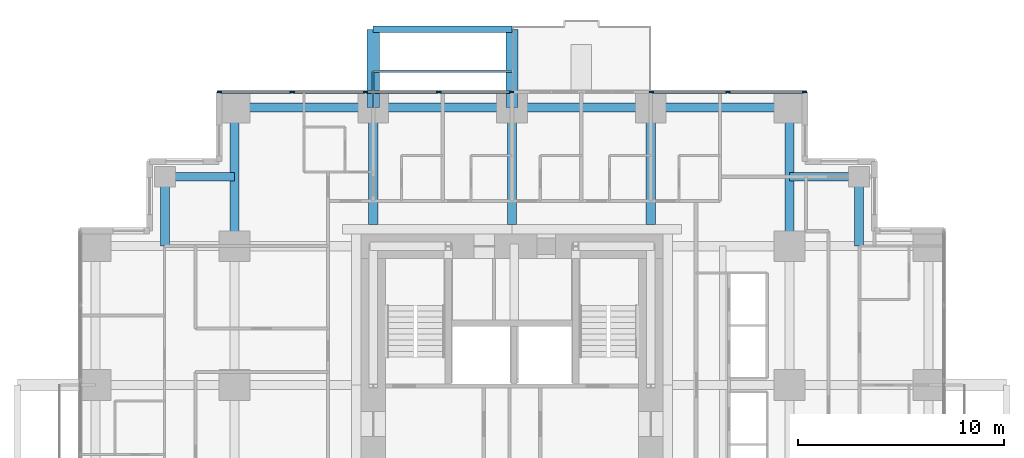
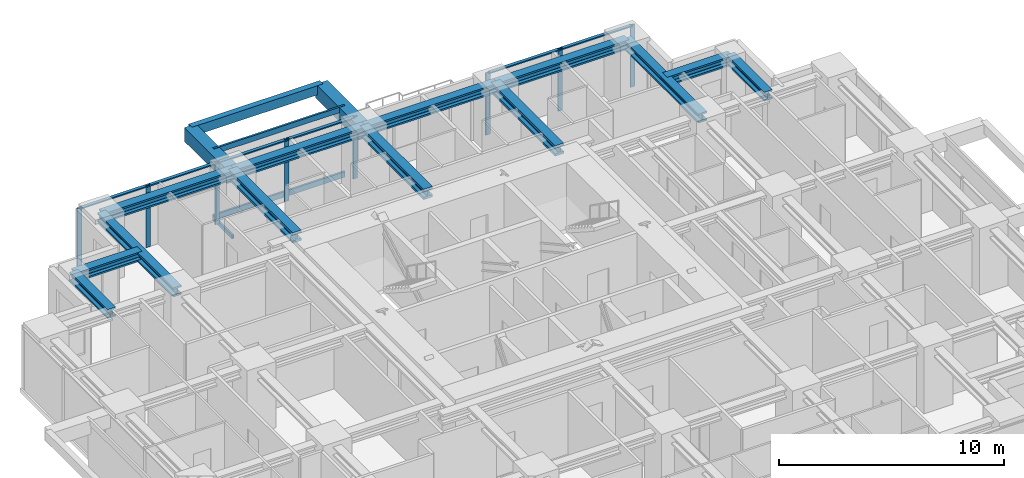
# One storey, part 5 of 12: 17 members, 16 beams, 2 elements without a shape of their own.
"""IFC4 building model written with IfcOpenShell, lengths in metres."""

import ifcopenshell
import ifcopenshell.guid

model = None  # the IFC model being written
_history = None  # IfcOwnerHistory: only IFC2X3 demands one
_inside = {}  # id of a spatial element -> (the spatial element, [elements in it])
_under = {}  # id of a project, library or spatial element -> (it, [spatial elements below it])
_declared = {}  # id of a project -> (the project, [libraries it declares])
_typed = {}  # id of a type object -> (the type object, [elements of that type])
_made_of = {}  # id of a material, layer set ... -> (it, [elements and type objects made of it])


def new_model(schema):
    """Start an empty IFC model of exactly this schema.

    Asked for "IFC4X3", IfcOpenShell would pick the latest addendum, in which some entities
    have other attributes; the version numbers below select the first issue.
    IFC2X3 requires an IfcOwnerHistory on every rooted entity: one is made here for all.
    """
    global model, _history
    if schema == "IFC4X3":
        model = ifcopenshell.file(schema_version=(4, 3, 0, 0))
    else:
        model = ifcopenshell.file(schema=schema)
    _inside.clear()
    _under.clear()
    _declared.clear()
    _typed.clear()
    _made_of.clear()
    _history = None
    if model.schema == "IFC2X3":
        org = make("IfcOrganization", Name="unknown")
        user = make(
            "IfcPersonAndOrganization",
            ThePerson=make("IfcPerson", FamilyName="unknown"),
            TheOrganization=org,
        )
        app = make(
            "IfcApplication",
            ApplicationDeveloper=org,
            Version="unknown",
            ApplicationFullName="unknown",
            ApplicationIdentifier="unknown",
        )
        _history = make(
            "IfcOwnerHistory",
            OwningUser=user,
            OwningApplication=app,
            ChangeAction="ADDED",
            CreationDate=0,
        )
    return model


def make(cls, **values):
    """One entity of the class cls with the attributes given. An attribute that is None is left unset."""
    return model.create_entity(
        cls, **{name: value for name, value in values.items() if value is not None}
    )


def rooted(cls, **values):
    """An entity with a GlobalId (a new one), such as an element, a storey or a relation."""
    return make(cls, GlobalId=ifcopenshell.guid.new(), OwnerHistory=_history, **values)


def si_unit(unit_type, name, prefix=None):
    """IfcSIUnit, for example si_unit("LENGTHUNIT", "METRE", prefix="MILLI")."""
    return make("IfcSIUnit", UnitType=unit_type, Prefix=prefix, Name=name)


def assignment(units):
    """IfcUnitAssignment: the units of a project."""
    return None if units is None else make("IfcUnitAssignment", Units=units)


def point(xyz):
    """IfcCartesianPoint."""
    return None if xyz is None else make("IfcCartesianPoint", Coordinates=xyz)


def direction(xyz):
    """IfcDirection."""
    return None if xyz is None else make("IfcDirection", DirectionRatios=xyz)


def frame(location, z_axis=None, x_axis=None):
    """IfcAxis2Placement3D, a coordinate frame: its origin and axes. An axis left out is left unset."""
    return make(
        "IfcAxis2Placement3D",
        Location=point(location),
        Axis=direction(z_axis),
        RefDirection=direction(x_axis),
    )


def frame_2d(location, x_axis=None):
    """IfcAxis2Placement2D, a coordinate frame in the plane: its origin and x axis."""
    return make(
        "IfcAxis2Placement2D", Location=point(location), RefDirection=direction(x_axis)
    )


def origin():
    """The frame at (0, 0, 0) with its axes left unset."""
    return frame((0.0, 0.0, 0.0))


def origin_2d():
    """The frame at (0, 0) in the plane with its x axis left unset."""
    return frame_2d((0.0, 0.0))


def place(relative_to, where):
    """IfcLocalPlacement: puts the frame where relative to a parent placement (None: the world)."""
    return make(
        "IfcLocalPlacement", PlacementRelTo=relative_to, RelativePlacement=where
    )


def context(
    kind, dimensions, precision=None, world=None, true_north=None, identifier=None
):
    """IfcGeometricRepresentationContext, for example the 3D "Model" context."""
    return make(
        "IfcGeometricRepresentationContext",
        ContextIdentifier=identifier,
        ContextType=kind,
        CoordinateSpaceDimension=dimensions,
        Precision=precision,
        WorldCoordinateSystem=world,
        TrueNorth=true_north,
    )


def subcontext(parent, identifier, kind, view, scale=None):
    """IfcGeometricRepresentationSubContext, for example "Body" below "Model"."""
    return make(
        "IfcGeometricRepresentationSubContext",
        ContextIdentifier=identifier,
        ContextType=kind,
        ParentContext=parent,
        TargetScale=scale,
        TargetView=view,
    )


def project(units=None, contexts=None):
    """IfcProject with its units and contexts."""
    return rooted(
        "IfcProject",
        Name="project",
        RepresentationContexts=contexts,
        UnitsInContext=assignment(units),
    )


def spatial(cls, under=None, at=None, **own):
    """A site, building, storey or space (cls), placed at a placement, below another one or the project."""
    s = rooted(cls, ObjectPlacement=at, **own)
    if under is not None:
        _under.setdefault(under.id(), (under, []))[1].append(s)
    return s


def profile(cls, at=None, kind="AREA", **sizes):
    """A parametric profile (cls). Its sizes go by their IFC names, for example OverallWidth=200.0."""
    return make(cls, ProfileType=kind, Position=at, **sizes)


def rectangle(**sizes):
    """IfcRectangleProfileDef."""
    return profile("IfcRectangleProfileDef", **sizes)


def hollow_rectangle(**sizes):
    """IfcRectangleHollowProfileDef."""
    return profile("IfcRectangleHollowProfileDef", **sizes)


def i_section(**sizes):
    """IfcIShapeProfileDef."""
    return profile("IfcIShapeProfileDef", **sizes)


def extrude(swept, where, along, depth):
    """IfcExtrudedAreaSolid: the profile swept, set in the frame where, extruded along a direction by depth."""
    return make(
        "IfcExtrudedAreaSolid",
        SweptArea=swept,
        Position=where,
        ExtrudedDirection=direction(along),
        Depth=depth,
    )


def shape(context_of_items, identifier, shape_type, items):
    """IfcShapeRepresentation: the items that make up one representation, for example the "Body"."""
    return make(
        "IfcShapeRepresentation",
        ContextOfItems=context_of_items,
        RepresentationIdentifier=identifier,
        RepresentationType=shape_type,
        Items=items,
    )


def material(Name=None, Category=None):
    """IfcMaterial."""
    return make("IfcMaterial", Name=Name, Category=Category)


def material_profile(
    of_material, cross_section, Name=None, Category=None, Priority=None
):
    """IfcMaterialProfile: a cross section and its material."""
    return make(
        "IfcMaterialProfile",
        Name=Name,
        Material=of_material,
        Profile=cross_section,
        Priority=Priority,
        Category=Category,
    )


def profile_set(profiles, Name=None, composite=None):
    """IfcMaterialProfileSet."""
    return make(
        "IfcMaterialProfileSet",
        Name=Name,
        MaterialProfiles=profiles,
        CompositeProfile=composite,
    )


def made_of(thing, what):
    """Note that an element or type object is made of a material, layer set ...; save() writes the relation."""
    if what is not None:
        _made_of.setdefault(what.id(), (what, []))[1].append(thing)
    return thing


def type_object(cls, material=None, **own):
    """A type object (cls), such as IfcWallType, which elements share."""
    return made_of(rooted(cls, **own), material)


def element(
    cls,
    number,
    at=None,
    inside=None,
    cuts=None,
    type_object=None,
    material=None,
    context=None,
    identifier="Body",
    shape_type=None,
    held_by="IfcProductDefinitionShape",
    body=None,
    shapes=None,
    **own,
):
    """One element of the class cls, such as IfcWall. Its Tag is "e" and its number.

    at: its placement. inside: the storey or other place that contains it. cuts: it is an
    opening in that element (IfcRelVoidsElement). A single representation is given by context,
    identifier, shape_type and body (its items); several are given by shapes. held_by: the class
    of the entity that holds the representations. save() writes the other relations.
    """
    e = rooted(cls, Tag="e%d" % number, ObjectPlacement=at, **own)
    if body is not None:
        shapes = [shape(context, identifier, shape_type, body)]
    if shapes is not None:
        e.Representation = make(held_by, Representations=shapes)
    if inside is not None:
        _inside.setdefault(inside.id(), (inside, []))[1].append(e)
    if cuts is not None:
        rooted(
            "IfcRelVoidsElement", RelatingBuildingElement=cuts, RelatedOpeningElement=e
        )
    if type_object is not None:
        _typed.setdefault(type_object.id(), (type_object, []))[1].append(e)
    return made_of(e, material)


def aggregate(whole, parts):
    """IfcRelAggregates: a whole, such as a stair, and the parts it consists of."""
    return rooted("IfcRelAggregates", RelatingObject=whole, RelatedObjects=parts)


def save(model, path):
    """Write the relations noted so far, then the file.

    IfcRelAggregates (storeys below a building ...), IfcRelContainedInSpatialStructure (elements
    in a storey), IfcRelDefinesByType, IfcRelAssociatesMaterial and IfcRelDeclares: one each for
    every whole, place, type object, material and project.
    """
    for whole, parts in _under.values():
        aggregate(whole, parts)
    for where, things in _inside.values():
        rooted(
            "IfcRelContainedInSpatialStructure",
            RelatedElements=things,
            RelatingStructure=where,
        )
    for kind, things in _typed.values():
        rooted("IfcRelDefinesByType", RelatedObjects=things, RelatingType=kind)
    for what, things in _made_of.values():
        rooted("IfcRelAssociatesMaterial", RelatedObjects=things, RelatingMaterial=what)
    for by, libraries in _declared.values():
        rooted("IfcRelDeclares", RelatingContext=by, RelatedDefinitions=libraries)
    model.write(path)


model = new_model("IFC4")

# Units and contexts
model_context = context("Model", 3, precision=1e-05, world=origin(), true_north=direction((0.0, 1.0)))
body_context = subcontext(model_context, "Body", "Model", "MODEL_VIEW")
ifc_project = project(units=[si_unit("LENGTHUNIT", "METRE"), si_unit("AREAUNIT", "SQUARE_METRE"), si_unit("VOLUMEUNIT", "CUBIC_METRE"), si_unit("PLANEANGLEUNIT", "RADIAN"), si_unit("MASSUNIT", "GRAM", prefix="KILO")], contexts=[model_context])

# Site, building, storey
site_placement = place(None, origin())
site = spatial("IfcSite", under=ifc_project, at=site_placement, CompositionType="ELEMENT")
building_placement = place(site_placement, origin())
building = spatial("IfcBuilding", under=site, at=building_placement, Name="Nyansa Garden Tower", CompositionType="ELEMENT")
storey_placement = place(building_placement, frame((0.0, 0.0, 119.699951171875)))
storey = spatial("IfcBuildingStorey", under=building, at=storey_placement, Name="L32", CompositionType="ELEMENT", Elevation=119.699951171875)

# Beams
ifc_material_1 = material(Name="Concrete C70/85", Category="concrete")
ifc_material_profile_1 = material_profile(ifc_material_1, rectangle(XDim=0.60009765625, YDim=0.75, at=origin_2d()), Name="RC 600x750")
ifc_profile_set_1 = profile_set([ifc_material_profile_1], Name="Concrete C70/85")
beam_type_1 = type_object("IfcBeamType", Name="Balcony cantilever beam CB1 RC 600x750", PredefinedType="BEAM", material=ifc_profile_set_1)
for number, where, z_axis, x_axis, name in (
    (1, (13.5, 33.75, 2.985107421875), (0.0, 1.0, 0.0), (-1.0, 0.0, 0.0), "Balcony cantilever beam L33"),
    (2, (20.25, 33.75, 2.985107421875), (0.0, 1.0, 0.0), (-1.0, 0.0, 0.0), "Balcony cantilever beam L33"),
):
    element("IfcBeam", number, at=place(storey_placement, frame(where, z_axis=z_axis, x_axis=x_axis)), inside=storey, type_object=beam_type_1, Name=name, PredefinedType="BEAM", context=body_context, shape_type="SweptSolid", body=[
        extrude(rectangle(XDim=0.60009765625, YDim=0.75, at=origin_2d()), origin(), (0.0, 0.0, 1.0), 3.800048828125),
    ])
ifc_material_2 = material(Name="Concrete C70/85", Category="concrete")
ifc_material_profile_2 = material_profile(ifc_material_2, rectangle(XDim=0.300048828125, YDim=0.5, at=origin_2d()), Name="RC 300x500")
ifc_profile_set_2 = profile_set([ifc_material_profile_2], Name="Concrete C70/85")
beam_type_2 = type_object("IfcBeamType", Name="Balcony edge beam BE1 RC 300x500", PredefinedType="BEAM", material=ifc_profile_set_2)
beam_placement = place(storey_placement, frame((13.5, 37.550048828125, 3.110107421875), z_axis=(1.0, 0.0, 0.0), x_axis=(0.0, 1.0, 0.0)))
element("IfcBeam", 3, at=beam_placement, inside=storey, type_object=beam_type_2, Name="Balcony edge beam L33", PredefinedType="BEAM", context=body_context, shape_type="SweptSolid", body=[
    extrude(rectangle(XDim=0.300048828125, YDim=0.5, at=origin_2d()), origin(), (0.0, 0.0, 1.0), 6.75),
])

# Curtain wall, members
ifc_material_3 = material(Name="Black anodised aluminium, dark tinted double glazing", Category="aluminium")
curtain_wall_type = type_object("IfcCurtainWallType", Name="Inner skin curtain wall ISW-B", PredefinedType="USERDEFINED", material=ifc_material_3)
curtain_wall_1_placement = place(storey_placement, origin())
curtain_wall_1 = element("IfcCurtainWall", 4, at=curtain_wall_1_placement, inside=storey, type_object=curtain_wall_type, Name="Inner skin curtain wall L32 N", ObjectType="UNITISED CURTAIN WALL", PredefinedType="USERDEFINED")
ifc_material_4 = material(Name="Black anodised aluminium", Category="aluminium")
ifc_material_profile_3 = material_profile(ifc_material_4, rectangle(XDim=0.06494140625, YDim=0.22509765625, at=origin_2d()), Name="Mullion 225x65")
ifc_profile_set_3 = profile_set([ifc_material_profile_3], Name="Black anodised aluminium")
member_type_1 = type_object("IfcMemberType", Name="Mullion ISW-B 225x65", PredefinedType="MULLION", material=ifc_profile_set_3)
member_1_placement = place(storey_placement, frame((20.217529296875, 34.5, 0.0), z_axis=(0.0, 0.0, 1.0), x_axis=(0.0, -1.0, 0.0)))
member_1 = element("IfcMember", 5, at=member_1_placement, type_object=member_type_1, Name="ISW-B mullion 1", PredefinedType="MULLION", context=body_context, shape_type="SweptSolid", body=[
    extrude(rectangle(XDim=0.06494140625, YDim=0.22509765625, at=origin_2d()), origin(), (0.0, 0.0, 1.0), 3.375),
])
member_2_placement = place(storey_placement, frame((16.6875, 34.5, 0.0), z_axis=(0.0, 0.0, 1.0), x_axis=(0.0, -1.0, 0.0)))
member_2 = element("IfcMember", 6, at=member_2_placement, type_object=member_type_1, Name="ISW-B mullion 2", PredefinedType="MULLION", context=body_context, shape_type="SweptSolid", body=[
    extrude(rectangle(XDim=0.06494140625, YDim=0.22509765625, at=origin_2d()), origin(), (0.0, 0.0, 1.0), 3.375),
])
member_3_placement = place(storey_placement, frame((13.125, 34.5, 0.0), z_axis=(0.0, 0.0, 1.0), x_axis=(0.0, -1.0, 0.0)))
member_3 = element("IfcMember", 7, at=member_3_placement, type_object=member_type_1, Name="ISW-B mullion 3", PredefinedType="MULLION", context=body_context, shape_type="SweptSolid", body=[
    extrude(rectangle(XDim=0.06494140625, YDim=0.22509765625, at=origin_2d()), origin(), (0.0, 0.0, 1.0), 3.375),
])
member_4_placement = place(storey_placement, frame((9.5625, 34.5, 0.0), z_axis=(0.0, 0.0, 1.0), x_axis=(0.0, -1.0, 0.0)))
member_4 = element("IfcMember", 8, at=member_4_placement, type_object=member_type_1, Name="ISW-B mullion 4", PredefinedType="MULLION", context=body_context, shape_type="SweptSolid", body=[
    extrude(rectangle(XDim=0.06494140625, YDim=0.22509765625, at=origin_2d()), origin(), (0.0, 0.0, 1.0), 3.375),
])
member_5_placement = place(storey_placement, frame((6.032470703125, 34.5, 0.0), z_axis=(0.0, 0.0, 1.0), x_axis=(0.0, -1.0, 0.0)))
member_5 = element("IfcMember", 9, at=member_5_placement, type_object=member_type_1, Name="ISW-B mullion 5", PredefinedType="MULLION", context=body_context, shape_type="SweptSolid", body=[
    extrude(rectangle(XDim=0.06494140625, YDim=0.22509765625, at=origin_2d()), origin(), (0.0, 0.0, 1.0), 3.375),
])

curtain_wall_2_placement = place(storey_placement, origin())
curtain_wall_2 = element("IfcCurtainWall", 10, at=curtain_wall_2_placement, inside=storey, type_object=curtain_wall_type, Name="Inner skin curtain wall L32 N", ObjectType="UNITISED CURTAIN WALL", PredefinedType="USERDEFINED")
member_6_placement = place(storey_placement, frame((34.467529296875, 34.5, 0.0), z_axis=(0.0, 0.0, 1.0), x_axis=(0.0, -1.0, 0.0)))
member_6 = element("IfcMember", 11, at=member_6_placement, type_object=member_type_1, Name="ISW-B mullion 1", PredefinedType="MULLION", context=body_context, shape_type="SweptSolid", body=[
    extrude(rectangle(XDim=0.06494140625, YDim=0.22509765625, at=origin_2d()), origin(), (0.0, 0.0, 1.0), 3.375),
])
member_7_placement = place(storey_placement, frame((30.75, 34.5, 0.0), z_axis=(0.0, 0.0, 1.0), x_axis=(0.0, -1.0, 0.0)))
member_7 = element("IfcMember", 12, at=member_7_placement, type_object=member_type_1, Name="ISW-B mullion 2", PredefinedType="MULLION", context=body_context, shape_type="SweptSolid", body=[
    extrude(rectangle(XDim=0.06494140625, YDim=0.22509765625, at=origin_2d()), origin(), (0.0, 0.0, 1.0), 3.375),
])
member_8_placement = place(storey_placement, frame((27.032470703125, 34.5, 0.0), z_axis=(0.0, 0.0, 1.0), x_axis=(0.0, -1.0, 0.0)))
member_8 = element("IfcMember", 13, at=member_8_placement, type_object=member_type_1, Name="ISW-B mullion 3", PredefinedType="MULLION", context=body_context, shape_type="SweptSolid", body=[
    extrude(rectangle(XDim=0.06494140625, YDim=0.22509765625, at=origin_2d()), origin(), (0.0, 0.0, 1.0), 3.375),
])

# Members
ifc_material_5 = material(Name="Steel S355, black powder coated", Category="steel")
ifc_material_profile_4 = material_profile(ifc_material_5, hollow_rectangle(XDim=0.10009765625, YDim=0.199951171875, WallThickness=0.008056640625, at=origin_2d()), Name="RHS 200x100x8")
ifc_profile_set_4 = profile_set([ifc_material_profile_4], Name="Steel S355, black powder coated")
member_type_2 = type_object("IfcMemberType", Name="Outer skin bracket arm RHS 200x100x8", PredefinedType="USERDEFINED", material=ifc_profile_set_4)
member_9_placement = place(storey_placement, frame((13.5, 33.75, -0.375), z_axis=(0.0, 1.0, 0.0), x_axis=(-1.0, 0.0, 0.0)))
element("IfcMember", 14, at=member_9_placement, inside=storey, type_object=member_type_2, Name="Outer skin bracket arm", ObjectType="OUTER SKIN BRACKET", PredefinedType="USERDEFINED", context=body_context, shape_type="SweptSolid", body=[
    extrude(hollow_rectangle(XDim=0.10009765625, YDim=0.199951171875, WallThickness=0.008056640625, at=origin_2d()), origin(), (0.0, 0.0, 1.0), 1.75),
])
ifc_material_6 = material(Name="Steel S355, black powder coated", Category="steel")
ifc_material_profile_5 = material_profile(ifc_material_6, hollow_rectangle(XDim=0.10009765625, YDim=0.300048828125, WallThickness=0.010009765625, at=origin_2d()), Name="RHS 300x100x10")
ifc_profile_set_5 = profile_set([ifc_material_profile_5], Name="Steel S355, black powder coated")
member_type_3 = type_object("IfcMemberType", Name="Outer skin rail RHS 300x100x10", PredefinedType="USERDEFINED", material=ifc_profile_set_5)
for number, where, z_axis, x_axis, name in (
    (15, (13.5, 35.5, -0.375), (1.0, 0.0, 0.0), (0.0, 1.0, 0.0), "Outer skin rail L32"),
    (16, (13.5, 35.5, 3.22509765625), (1.0, 0.0, 0.0), (0.0, 1.0, 0.0), "Outer skin rail L32 head"),
):
    element("IfcMember", number, at=place(storey_placement, frame(where, z_axis=z_axis, x_axis=x_axis)), inside=storey, type_object=member_type_3, Name=name, ObjectType="OUTER SKIN RAIL", PredefinedType="USERDEFINED", context=body_context, shape_type="SweptSolid", body=[
        extrude(hollow_rectangle(XDim=0.10009765625, YDim=0.300048828125, WallThickness=0.010009765625, at=origin_2d()), origin(), (0.0, 0.0, 1.0), 6.75),
    ])

# Beams
ifc_material_7 = material(Name="Steel S355", Category="steel")
ifc_material_profile_6 = material_profile(ifc_material_7, i_section(OverallWidth=0.431884765625, OverallDepth=0.498046875, WebThickness=0.0556640625, FlangeThickness=0.0888671875, FilletRadius=0.014892578125, at=origin_2d()), Name="HD 400x744")
ifc_profile_set_6 = profile_set([ifc_material_profile_6], Name="Steel S355")
beam_type_3 = type_object("IfcBeamType", Name="Steel beam SBB1-744 HD 400x744", PredefinedType="BEAM", material=ifc_profile_set_6)
for number, where, z_axis, x_axis, name in (
    (17, (6.75, 27.0, 3.1259765625), (0.0, 1.0, 0.0), (-1.0, 0.0, 0.0), "Steel beam 3/H-3/J L33"),
    (18, (33.75, 27.0, 3.1259765625), (0.0, 1.0, 0.0), (-1.0, 0.0, 0.0), "Steel beam 7/H-7/J L33"),
):
    element("IfcBeam", number, at=place(storey_placement, frame(where, z_axis=z_axis, x_axis=x_axis)), inside=storey, type_object=beam_type_3, Name=name, PredefinedType="BEAM", context=body_context, shape_type="SweptSolid", body=[
        extrude(i_section(OverallWidth=0.431884765625, OverallDepth=0.498046875, WebThickness=0.0556640625, FlangeThickness=0.0888671875, FilletRadius=0.014892578125, at=origin_2d()), origin(), (0.0, 0.0, 1.0), 6.75),
    ])
ifc_material_8 = material(Name="Steel S355", Category="steel")
ifc_material_profile_7 = material_profile(ifc_material_8, i_section(OverallWidth=0.4541015625, OverallDepth=0.569091796875, WebThickness=0.077880859375, FlangeThickness=0.125, FilletRadius=0.014892578125, at=origin_2d()), Name="HD 400x1086")
ifc_profile_set_7 = profile_set([ifc_material_profile_7], Name="Steel S355")
beam_type_4 = type_object("IfcBeamType", Name="Steel beam SCL-1086 HD 400x1086", PredefinedType="BEAM", material=ifc_profile_set_7)
for number, where, z_axis, x_axis, name in (
    (19, (13.5, 28.050048828125, 3.090576171875), (0.0, 1.0, 0.0), (-1.0, 0.0, 0.0), "Steel beam 4/28.050-4/J L33"),
    (20, (20.25, 28.050048828125, 3.090576171875), (0.0, 1.0, 0.0), (-1.0, 0.0, 0.0), "Steel beam 5/28.050-5/J L33"),
    (21, (27.0, 28.050048828125, 3.090576171875), (0.0, 1.0, 0.0), (-1.0, 0.0, 0.0), "Steel beam 6/28.050-6/J L33"),
):
    element("IfcBeam", number, at=place(storey_placement, frame(where, z_axis=z_axis, x_axis=x_axis)), inside=storey, type_object=beam_type_4, Name=name, PredefinedType="BEAM", context=body_context, shape_type="SweptSolid", body=[
        extrude(i_section(OverallWidth=0.4541015625, OverallDepth=0.569091796875, WebThickness=0.077880859375, FlangeThickness=0.125, FilletRadius=0.014892578125, at=origin_2d()), origin(), (0.0, 0.0, 1.0), 5.699951171875),
    ])
ifc_material_9 = material(Name="Steel S355", Category="steel")
ifc_material_profile_8 = material_profile(ifc_material_9, i_section(OverallWidth=0.431884765625, OverallDepth=0.498046875, WebThickness=0.0556640625, FlangeThickness=0.0888671875, FilletRadius=0.014892578125, at=origin_2d()), Name="HD 400x744")
ifc_profile_set_8 = profile_set([ifc_material_profile_8], Name="Steel S355")
beam_type_5 = type_object("IfcBeamType", Name="Steel beam SEBB-744 HD 400x744", PredefinedType="BEAM", material=ifc_profile_set_8)
for number, where, z_axis, x_axis, name in (
    (22, (6.75, 33.75, 3.1259765625), (1.0, 0.0, 0.0), (0.0, 1.0, 0.0), "Steel edge beam 3/J-4/J L33"),
    (23, (13.5, 33.75, 3.1259765625), (1.0, 0.0, 0.0), (0.0, 1.0, 0.0), "Steel edge beam 4/J-5/J L33"),
    (24, (20.25, 33.75, 3.1259765625), (1.0, 0.0, 0.0), (0.0, 1.0, 0.0), "Steel edge beam 5/J-6/J L33"),
    (25, (27.0, 33.75, 3.1259765625), (1.0, 0.0, 0.0), (0.0, 1.0, 0.0), "Steel edge beam 6/J-7/J L33"),
):
    element("IfcBeam", number, at=place(storey_placement, frame(where, z_axis=z_axis, x_axis=x_axis)), inside=storey, type_object=beam_type_5, Name=name, PredefinedType="BEAM", context=body_context, shape_type="SweptSolid", body=[
        extrude(i_section(OverallWidth=0.431884765625, OverallDepth=0.498046875, WebThickness=0.0556640625, FlangeThickness=0.0888671875, FilletRadius=0.014892578125, at=origin_2d()), origin(), (0.0, 0.0, 1.0), 6.75),
    ])
ifc_material_10 = material(Name="Steel S355", Category="steel")
ifc_material_profile_9 = material_profile(ifc_material_10, i_section(OverallWidth=0.431884765625, OverallDepth=0.498046875, WebThickness=0.0556640625, FlangeThickness=0.0888671875, FilletRadius=0.014892578125, at=origin_2d()), Name="HD 400x744")
ifc_profile_set_9 = profile_set([ifc_material_profile_9], Name="Steel S355")
beam_type_6 = type_object("IfcBeamType", Name="Steel beam SSB1-744 HD 400x744", PredefinedType="BEAM", material=ifc_profile_set_9)
for number, where, z_axis, x_axis, name in (
    (26, (37.125, 30.375, 3.1259765625), (0.0, -1.0, 0.0), (1.0, 0.0, 0.0), "Steel step beam 37.125/30.375 L33"),
    (27, (37.125, 30.375, 3.1259765625), (-1.0, 0.0, 0.0), (0.0, -1.0, 0.0), "Steel step beam 37.125/30.375 L33"),
    (28, (3.375, 30.375, 3.1259765625), (0.0, -1.0, 0.0), (1.0, 0.0, 0.0), "Steel step beam 3.375/30.375 L33"),
    (29, (3.375, 30.375, 3.1259765625), (1.0, 0.0, 0.0), (0.0, 1.0, 0.0), "Steel step beam 3.375/30.375 L33"),
):
    element("IfcBeam", number, at=place(storey_placement, frame(where, z_axis=z_axis, x_axis=x_axis)), inside=storey, type_object=beam_type_6, Name=name, PredefinedType="BEAM", context=body_context, shape_type="SweptSolid", body=[
        extrude(i_section(OverallWidth=0.431884765625, OverallDepth=0.498046875, WebThickness=0.0556640625, FlangeThickness=0.0888671875, FilletRadius=0.014892578125, at=origin_2d()), origin(), (0.0, 0.0, 1.0), 3.375),
    ])

# Member
ifc_material_11 = material(Name="Black anodised aluminium", Category="aluminium")
ifc_material_profile_10 = material_profile(ifc_material_11, rectangle(XDim=0.1650390625, YDim=0.06494140625, at=origin_2d()), Name="Transom 165x65")
ifc_profile_set_10 = profile_set([ifc_material_profile_10], Name="Black anodised aluminium")
member_type_4 = type_object("IfcMemberType", Name="Transom ISW-B 165x65", PredefinedType="USERDEFINED", material=ifc_profile_set_10)
member_10_placement = place(storey_placement, frame((20.18505859375, 34.5, 3.342529296875), z_axis=(-1.0, 0.0, 0.0), x_axis=(0.0, -1.0, 0.0)))
member_10 = element("IfcMember", 30, at=member_10_placement, type_object=member_type_4, Name="ISW-B transom 1", ObjectType="TRANSOM", PredefinedType="USERDEFINED", context=body_context, shape_type="SweptSolid", body=[
    extrude(rectangle(XDim=0.1650390625, YDim=0.06494140625, at=origin_2d()), origin(), (0.0, 0.0, 1.0), 3.465087890625),
])

member_11_placement = place(storey_placement, frame((16.655029296875, 34.5, 3.342529296875), z_axis=(-1.0, 0.0, 0.0), x_axis=(0.0, -1.0, 0.0)))
member_11 = element("IfcMember", 31, at=member_11_placement, type_object=member_type_4, Name="ISW-B transom 2", ObjectType="TRANSOM", PredefinedType="USERDEFINED", context=body_context, shape_type="SweptSolid", body=[
    extrude(rectangle(XDim=0.1650390625, YDim=0.06494140625, at=origin_2d()), origin(), (0.0, 0.0, 1.0), 3.49755859375),
])

member_12_placement = place(storey_placement, frame((13.092529296875, 34.5, 3.342529296875), z_axis=(-1.0, 0.0, 0.0), x_axis=(0.0, -1.0, 0.0)))
member_12 = element("IfcMember", 32, at=member_12_placement, type_object=member_type_4, Name="ISW-B transom 3", ObjectType="TRANSOM", PredefinedType="USERDEFINED", context=body_context, shape_type="SweptSolid", body=[
    extrude(rectangle(XDim=0.1650390625, YDim=0.06494140625, at=origin_2d()), origin(), (0.0, 0.0, 1.0), 3.49755859375),
])

member_13_placement = place(storey_placement, frame((9.530029296875, 34.5, 3.342529296875), z_axis=(-1.0, 0.0, 0.0), x_axis=(0.0, -1.0, 0.0)))
member_13 = element("IfcMember", 33, at=member_13_placement, type_object=member_type_4, Name="ISW-B transom 4", ObjectType="TRANSOM", PredefinedType="USERDEFINED", context=body_context, shape_type="SweptSolid", body=[
    extrude(rectangle(XDim=0.1650390625, YDim=0.06494140625, at=origin_2d()), origin(), (0.0, 0.0, 1.0), 3.465087890625),
])

aggregate(curtain_wall_1, [member_1, member_2, member_3, member_4, member_5, member_10, member_11, member_12, member_13])

member_14_placement = place(storey_placement, frame((34.43505859375, 34.5, 3.342529296875), z_axis=(-1.0, 0.0, 0.0), x_axis=(0.0, -1.0, 0.0)))
member_14 = element("IfcMember", 34, at=member_14_placement, type_object=member_type_4, Name="ISW-B transom 1", ObjectType="TRANSOM", PredefinedType="USERDEFINED", context=body_context, shape_type="SweptSolid", body=[
    extrude(rectangle(XDim=0.1650390625, YDim=0.06494140625, at=origin_2d()), origin(), (0.0, 0.0, 1.0), 3.652587890625),
])

member_15_placement = place(storey_placement, frame((30.717529296875, 34.5, 3.342529296875), z_axis=(-1.0, 0.0, 0.0), x_axis=(0.0, -1.0, 0.0)))
member_15 = element("IfcMember", 35, at=member_15_placement, type_object=member_type_4, Name="ISW-B transom 2", ObjectType="TRANSOM", PredefinedType="USERDEFINED", context=body_context, shape_type="SweptSolid", body=[
    extrude(rectangle(XDim=0.1650390625, YDim=0.06494140625, at=origin_2d()), origin(), (0.0, 0.0, 1.0), 3.652587890625),
])

aggregate(curtain_wall_2, [member_6, member_7, member_8, member_14, member_15])

save(model, "model.ifc")
